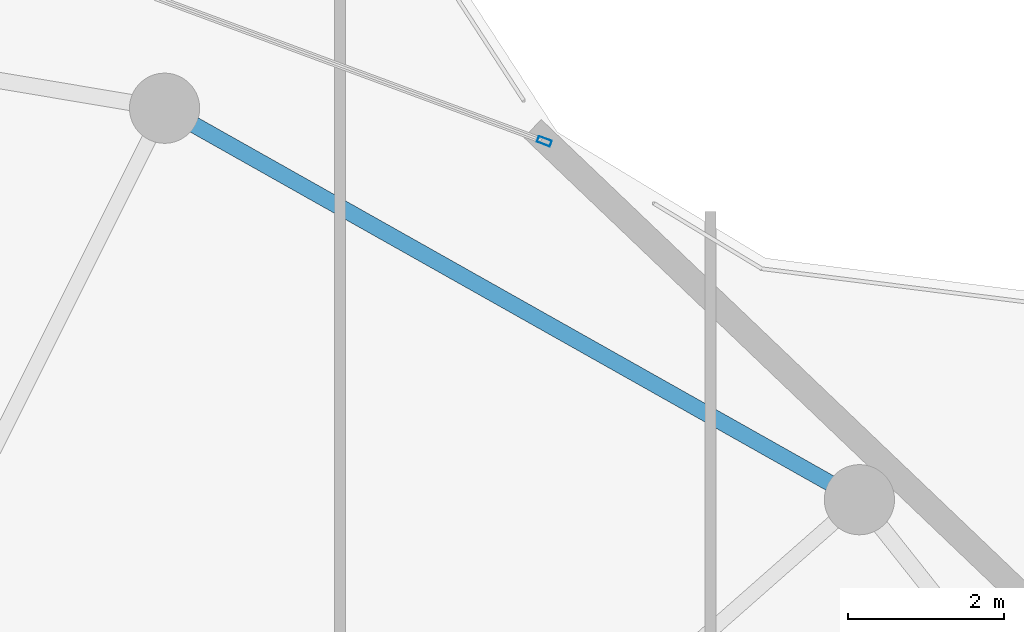
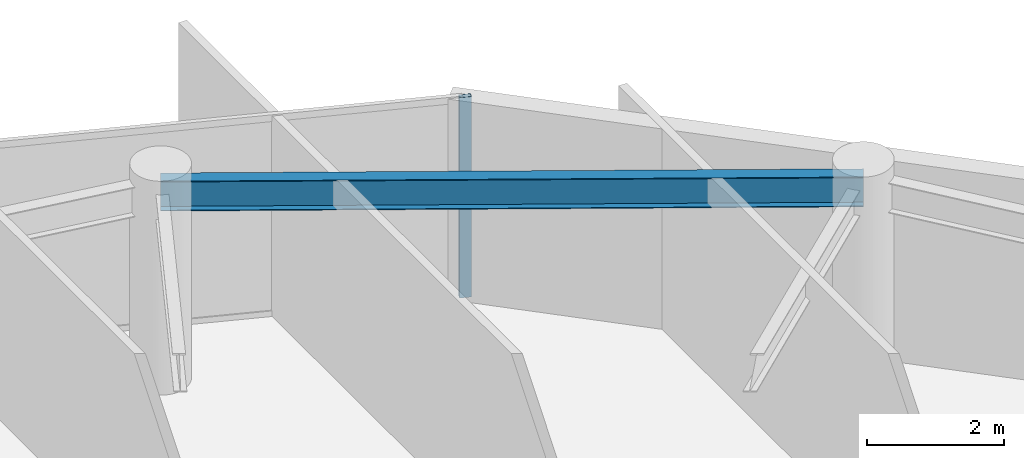
# One storey, part 22 of 29: 1 beam, 1 member, 1 element without a shape of its own.
"""IFC4 building model written with IfcOpenShell, lengths in metres."""

from ifc_helpers import new_model, si_unit, direction, frame, origin, origin_2d, place, context, subcontext, project, spatial, hollow_rectangle, i_section, extrude, material, layer, layer_set, material_profile, profile_set, type_object, element, aggregate, save


model = new_model("IFC4")

# Units and contexts
model_context = context("Model", 3, precision=1e-05, world=origin(), true_north=direction((0.0, 1.0)))
body_context = subcontext(model_context, "Body", "Model", "MODEL_VIEW")
ifc_project = project(units=[si_unit("LENGTHUNIT", "METRE"), si_unit("AREAUNIT", "SQUARE_METRE"), si_unit("VOLUMEUNIT", "CUBIC_METRE"), si_unit("PLANEANGLEUNIT", "RADIAN"), si_unit("MASSUNIT", "GRAM", prefix="KILO")], contexts=[model_context])

# Site, building, storey
site_placement = place(None, origin())
site = spatial("IfcSite", under=ifc_project, at=site_placement, CompositionType="ELEMENT")
building_placement = place(site_placement, origin())
building = spatial("IfcBuilding", under=site, at=building_placement, Name="Kazevale Care Tower and Concert Hall", CompositionType="ELEMENT")
storey_placement = place(building_placement, frame((0.0, 0.0, 285.199951171875)))
storey = spatial("IfcBuildingStorey", under=building, at=storey_placement, Name="L75", CompositionType="ELEMENT", Elevation=285.199951171875)

# Curtain wall, member
ifc_material_1 = material(Name="Aluminium 6063-T6 and Low-E Glass", Category="aluminium")
ifc_layer = layer(ifc_material_1, 0.179931640625)
ifc_layer_set = layer_set([ifc_layer], Name="Aluminium 6063-T6 and Low-E Glass")
curtain_wall_type = type_object("IfcCurtainWallType", Name="Convex Checkerboard Finned Curtain Wall CW-2", PredefinedType="NOTDEFINED", material=ifc_layer_set)
curtain_wall_placement = place(storey_placement, origin())
curtain_wall = element("IfcCurtainWall", 1, at=curtain_wall_placement, inside=storey, type_object=curtain_wall_type, Name="cw:L75:f16", PredefinedType="NOTDEFINED")
ifc_material_2 = material(Name="Aluminium 6063-T6", Category="aluminium")
ifc_material_profile_1 = material_profile(ifc_material_2, hollow_rectangle(XDim=0.080078125, YDim=0.179931640625, WallThickness=0.0048828125, at=origin_2d()), Name="ALU80x180x5")
ifc_profile_set_1 = profile_set([ifc_material_profile_1], Name="Aluminium 6063-T6")
member_type = type_object("IfcMemberType", Name="CW-2 Mullion ALU80x180x5", PredefinedType="MULLION", material=ifc_profile_set_1)
member_placement = place(storey_placement, frame((60.369384765625, 58.96484375, 0.0), z_axis=(0.0, 0.0, 1.0), x_axis=(0.346863695471, 0.937915548844, 0.0)))
member = element("IfcMember", 2, at=member_placement, type_object=member_type, Name="CW-2 mullion 2", PredefinedType="MULLION", context=body_context, shape_type="SweptSolid", body=[
    extrude(hollow_rectangle(XDim=0.080078125, YDim=0.179931640625, WallThickness=0.0048828125, at=origin_2d()), origin(), (0.0, 0.0, 1.0), 3.56005859375),
])
aggregate(curtain_wall, [member])

# Beam
ifc_material_3 = material(Name="Steel ASTM A572 Gr 50", Category="steel")
ifc_material_profile_2 = material_profile(ifc_material_3, i_section(OverallWidth=0.208984375, OverallDepth=0.532958984375, WebThickness=0.01025390625, FlangeThickness=0.015625, at=origin_2d()), Name="W530x92")
ifc_profile_set_2 = profile_set([ifc_material_profile_2], Name="Steel ASTM A572 Gr 50")
beam_type = type_object("IfcBeamType", Name="Upper Ring Beam W530x92", PredefinedType="BEAM", material=ifc_profile_set_2)
beam_placement = place(storey_placement, frame((64.409912109375, 54.3701171875, 3.29345703125), z_axis=(-0.871243170179, 0.490851646035, 0.0), x_axis=(-0.490851646035, -0.871243170179, 0.0)))
element("IfcBeam", 3, at=beam_placement, inside=storey, type_object=beam_type, Name="beam:L75:ring:03", PredefinedType="BEAM", context=body_context, shape_type="SweptSolid", body=[
    extrude(i_section(OverallWidth=0.208984375, OverallDepth=0.532958984375, WebThickness=0.01025390625, FlangeThickness=0.015625, at=origin_2d()), origin(), (0.0, 0.0, 1.0), 10.2265625),
])

save(model, "model.ifc")
